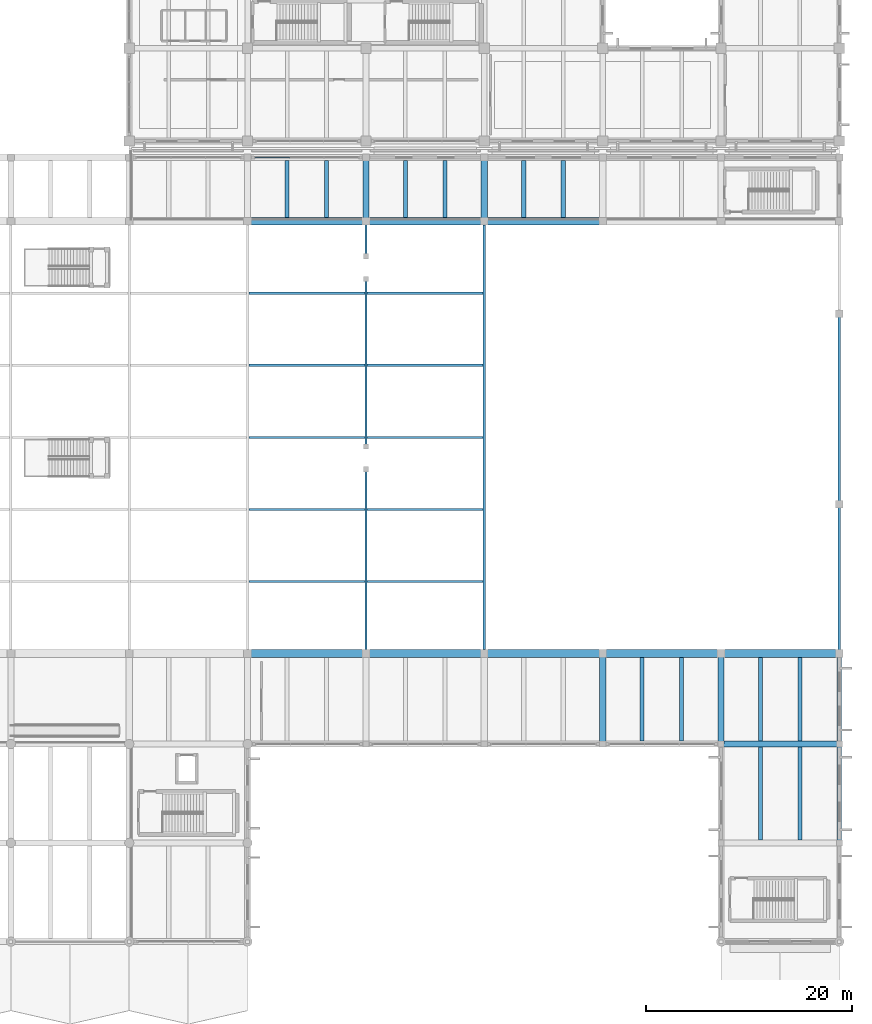
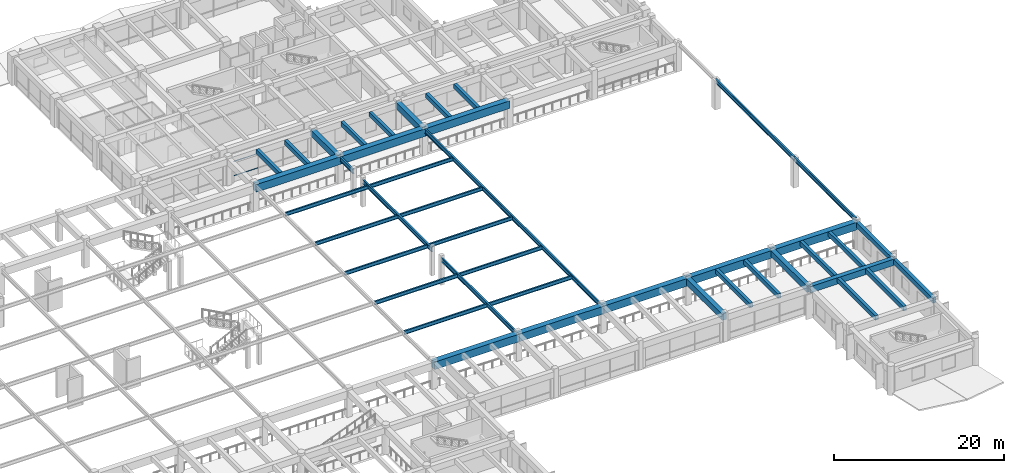
# One storey, part 52 of 98: 43 beams, 2 members, 1 element without a shape of its own.
"""IFC4 building model written with IfcOpenShell, lengths in metres."""

from ifc_helpers import new_model, si_unit, direction, frame, origin, origin_2d, place, context, subcontext, project, spatial, rectangle, hollow_rectangle, i_section, extrude, material, material_profile, profile_set, type_object, element, aggregate, save


model = new_model("IFC4")

# Units and contexts
model_context = context("Model", 3, precision=1e-05, world=origin(), true_north=direction((0.0, 1.0)))
body_context = subcontext(model_context, "Body", "Model", "MODEL_VIEW")
ifc_project = project(units=[si_unit("LENGTHUNIT", "METRE"), si_unit("AREAUNIT", "SQUARE_METRE"), si_unit("VOLUMEUNIT", "CUBIC_METRE"), si_unit("PLANEANGLEUNIT", "RADIAN"), si_unit("MASSUNIT", "GRAM", prefix="KILO")], contexts=[model_context])

# Site, building, storey
site_placement = place(None, origin())
site = spatial("IfcSite", under=ifc_project, at=site_placement, CompositionType="ELEMENT")
building_placement = place(site_placement, origin())
building = spatial("IfcBuilding", under=site, at=building_placement, Name="Ologun Quay Terminus", CompositionType="ELEMENT")
storey_placement = place(building_placement, frame((0.0, 0.0, 4.199951171875)))
storey = spatial("IfcBuildingStorey", under=building, at=storey_placement, Name="L01", CompositionType="ELEMENT", Elevation=4.199951171875)

# Beams
ifc_material_1 = material(Name="Concrete C45/55", Category="concrete")
ifc_material_profile_1 = material_profile(ifc_material_1, rectangle(XDim=0.75, YDim=1.10009765625, at=origin_2d()), Name="RC 750x1100")
ifc_profile_set_1 = profile_set([ifc_material_profile_1], Name="Concrete C45/55")
beam_type_1 = type_object("IfcBeamType", Name="Concourse Primary Girder 750x1100", PredefinedType="BEAM", material=ifc_profile_set_1)
for number, where, z_axis, x_axis, name in (
    (1, (126.5, 36.0, 3.300048828125), (1.0, 0.0, 0.0), (0.0, 1.0, 0.0), "B2 Beam 12/E L01"),
    (2, (138.0, 36.0, 3.300048828125), (1.0, 0.0, 0.0), (0.0, 1.0, 0.0), "B2 Beam 13/E L01"),
    (3, (149.5, 36.0, 3.300048828125), (1.0, 0.0, 0.0), (0.0, 1.0, 0.0), "B2 Beam 14/E L01"),
    (4, (161.0, 36.0, 3.300048828125), (1.0, 0.0, 0.0), (0.0, 1.0, 0.0), "B2 Beam 15/E L01"),
    (5, (172.5, 36.0, 3.300048828125), (1.0, 0.0, 0.0), (0.0, 1.0, 0.0), "B2 Beam 16/E L01"),
    (6, (126.5, 78.0, 3.300048828125), (1.0, 0.0, 0.0), (0.0, 1.0, 0.0), "B2 Beam 12/F L01"),
    (7, (138.0, 78.0, 3.300048828125), (1.0, 0.0, 0.0), (0.0, 1.0, 0.0), "B2 Beam 13/F L01"),
    (8, (149.5, 78.0, 3.300048828125), (1.0, 0.0, 0.0), (0.0, 1.0, 0.0), "B2 Beam 14/F L01"),
):
    element("IfcBeam", number, at=place(storey_placement, frame(where, z_axis=z_axis, x_axis=x_axis)), inside=storey, type_object=beam_type_1, Name=name, PredefinedType="BEAM", context=body_context, shape_type="SweptSolid", body=[
        extrude(rectangle(XDim=0.75, YDim=1.10009765625, at=origin_2d()), origin(), (0.0, 0.0, 1.0), 11.5),
    ])
ifc_material_2 = material(Name="Steel S355", Category="steel")
ifc_material_profile_2 = material_profile(ifc_material_2, i_section(OverallWidth=0.209228515625, OverallDepth=0.533203125, WebThickness=0.010009765625, FlangeThickness=0.015625, at=origin_2d()), Name="UKB 533x210x92")
ifc_profile_set_2 = profile_set([ifc_material_profile_2], Name="Steel S355")
beam_type_2 = type_object("IfcBeamType", Name="Concourse Steel Secondary Beam UKB533", PredefinedType="BEAM", material=ifc_profile_set_2)
for number, where, z_axis, x_axis, name in (
    (9, (126.614013671875, 43.0, 3.58349609375), (1.0, 0.0, 0.0), (0.0, 1.0, 0.0), "SB2 Beam 12/E L01"),
    (10, (126.614013671875, 50.0, 3.58349609375), (1.0, 0.0, 0.0), (0.0, 1.0, 0.0), "SB2 Beam 12/E L01"),
    (11, (126.614013671875, 57.0, 3.58349609375), (1.0, 0.0, 0.0), (0.0, 1.0, 0.0), "SB2 Beam 12/E L01"),
    (12, (126.614013671875, 64.0, 3.58349609375), (1.0, 0.0, 0.0), (0.0, 1.0, 0.0), "SB2 Beam 12/E L01"),
    (13, (126.614013671875, 71.0, 3.58349609375), (1.0, 0.0, 0.0), (0.0, 1.0, 0.0), "SB2 Beam 12/E L01"),
    (14, (138.114013671875, 43.0, 3.58349609375), (1.0, 0.0, 0.0), (0.0, 1.0, 0.0), "SB2 Beam 13/E L01"),
    (15, (138.114013671875, 50.0, 3.58349609375), (1.0, 0.0, 0.0), (0.0, 1.0, 0.0), "SB2 Beam 13/E L01"),
    (16, (138.114013671875, 57.0, 3.58349609375), (1.0, 0.0, 0.0), (0.0, 1.0, 0.0), "SB2 Beam 13/E L01"),
    (17, (138.114013671875, 64.0, 3.58349609375), (1.0, 0.0, 0.0), (0.0, 1.0, 0.0), "SB2 Beam 13/E L01"),
    (18, (138.114013671875, 71.0, 3.58349609375), (1.0, 0.0, 0.0), (0.0, 1.0, 0.0), "SB2 Beam 13/E L01"),
):
    element("IfcBeam", number, at=place(storey_placement, frame(where, z_axis=z_axis, x_axis=x_axis)), inside=storey, type_object=beam_type_2, Name=name, PredefinedType="BEAM", context=body_context, shape_type="SweptSolid", body=[
        extrude(i_section(OverallWidth=0.209228515625, OverallDepth=0.533203125, WebThickness=0.010009765625, FlangeThickness=0.015625, at=origin_2d()), origin(), (0.0, 0.0, 1.0), 11.27197265625),
    ])
ifc_material_3 = material(Name="Steel S355", Category="steel")
ifc_material_profile_3 = material_profile(ifc_material_3, i_section(OverallWidth=0.228271484375, OverallDepth=0.607666015625, WebThickness=0.010986328125, FlangeThickness=0.017333984375, at=origin_2d()), Name="UKB 610x229x113")
ifc_profile_set_3 = profile_set([ifc_material_profile_3], Name="Steel S355")
beam_type_3 = type_object("IfcBeamType", Name="Concourse Steel Spine Girder UKB610", PredefinedType="BEAM", material=ifc_profile_set_3)
beam_1_placement = place(storey_placement, frame((138.0, 36.0, 3.546142578125), z_axis=(0.0, 1.0, 0.0), x_axis=(-1.0, 0.0, 0.0)))
element("IfcBeam", 19, at=beam_1_placement, inside=storey, type_object=beam_type_3, Name="SB1 Beam 13/E L01", PredefinedType="BEAM", context=body_context, shape_type="SweptSolid", body=[
    extrude(i_section(OverallWidth=0.228271484375, OverallDepth=0.607666015625, WebThickness=0.010986328125, FlangeThickness=0.017333984375, at=origin_2d()), origin(), (0.0, 0.0, 1.0), 17.89990234375),
])
beam_2_placement = place(storey_placement, frame((138.0, 56.10009765625, 3.546142578125), z_axis=(0.0, 1.0, 0.0), x_axis=(-1.0, 0.0, 0.0)))
element("IfcBeam", 20, at=beam_2_placement, inside=storey, type_object=beam_type_3, Name="SB1 Beam 13/E L01", PredefinedType="BEAM", context=body_context, shape_type="SweptSolid", body=[
    extrude(i_section(OverallWidth=0.228271484375, OverallDepth=0.607666015625, WebThickness=0.010986328125, FlangeThickness=0.017333984375, at=origin_2d()), origin(), (0.0, 0.0, 1.0), 16.2998046875),
])
beam_3_placement = place(storey_placement, frame((138.0, 74.60009765625, 3.546142578125), z_axis=(0.0, 1.0, 0.0), x_axis=(-1.0, 0.0, 0.0)))
element("IfcBeam", 21, at=beam_3_placement, inside=storey, type_object=beam_type_3, Name="SB1 Beam 13/E L01", PredefinedType="BEAM", context=body_context, shape_type="SweptSolid", body=[
    extrude(i_section(OverallWidth=0.228271484375, OverallDepth=0.607666015625, WebThickness=0.010986328125, FlangeThickness=0.017333984375, at=origin_2d()), origin(), (0.0, 0.0, 1.0), 3.39990234375),
])
beam_4_placement = place(storey_placement, frame((149.5, 36.0, 3.546142578125), z_axis=(0.0, 1.0, 0.0), x_axis=(-1.0, 0.0, 0.0)))
element("IfcBeam", 22, at=beam_4_placement, inside=storey, type_object=beam_type_3, Name="SB1 Beam 14/E L01", PredefinedType="BEAM", context=body_context, shape_type="SweptSolid", body=[
    extrude(i_section(OverallWidth=0.228271484375, OverallDepth=0.607666015625, WebThickness=0.010986328125, FlangeThickness=0.017333984375, at=origin_2d()), origin(), (0.0, 0.0, 1.0), 42.0),
])
beam_5_placement = place(storey_placement, frame((184.0, 36.0, 3.896240234375), z_axis=(0.0, 1.0, 0.0), x_axis=(-1.0, 0.0, 0.0)))
element("IfcBeam", 23, at=beam_5_placement, inside=storey, type_object=beam_type_3, Name="SB1 Beam 17/E L01", PredefinedType="BEAM", context=body_context, shape_type="SweptSolid", body=[
    extrude(i_section(OverallWidth=0.228271484375, OverallDepth=0.607666015625, WebThickness=0.010986328125, FlangeThickness=0.017333984375, at=origin_2d()), origin(), (0.0, 0.0, 1.0), 14.5),
])
beam_6_placement = place(storey_placement, frame((184.0, 50.5, 3.896240234375), z_axis=(0.0, 1.0, 0.0), x_axis=(-1.0, 0.0, 0.0)))
element("IfcBeam", 24, at=beam_6_placement, inside=storey, type_object=beam_type_3, Name="SB1 Beam 17/E L01", PredefinedType="BEAM", context=body_context, shape_type="SweptSolid", body=[
    extrude(i_section(OverallWidth=0.228271484375, OverallDepth=0.607666015625, WebThickness=0.010986328125, FlangeThickness=0.017333984375, at=origin_2d()), origin(), (0.0, 0.0, 1.0), 18.5),
])

# Curtain wall, members
ifc_material_4 = material(Name="Aluminium 6063-T6", Category="aluminium")
curtain_wall_type = type_object("IfcCurtainWallType", Name="Forecourt Mezzanine Curtain Wall 10700x3850", PredefinedType="USERDEFINED", material=ifc_material_4)
curtain_wall_placement = place(storey_placement, origin())
curtain_wall = element("IfcCurtainWall", 25, at=curtain_wall_placement, inside=storey, type_object=curtain_wall_type, Name="CW-04 Curtain Wall CW-L01-091", ObjectType="UNITISED CURTAIN WALL", PredefinedType="USERDEFINED")
ifc_material_5 = material(Name="Aluminium 6063-T6", Category="aluminium")
ifc_material_profile_4 = material_profile(ifc_material_5, hollow_rectangle(XDim=0.054931640625, YDim=0.110107421875, WallThickness=0.00390625, at=origin_2d()), Name="ALU 110x55x4")
ifc_profile_set_4 = profile_set([ifc_material_profile_4], Name="Aluminium 6063-T6")
member_type = type_object("IfcMemberType", Name="Courtyard Screen Transom 110x55", PredefinedType="USERDEFINED", material=ifc_profile_set_4)
member_1_placement = place(storey_placement, frame((127.219970703125, 84.199951171875, 0.900146484375), z_axis=(1.0, 0.0, 0.0), x_axis=(0.0, 1.0, 0.0)))
member_1 = element("IfcMember", 26, at=member_1_placement, type_object=member_type, Name="CW-L01-091 Transom B1-1", ObjectType="TRANSOM", PredefinedType="USERDEFINED", context=body_context, shape_type="SweptSolid", body=[
    extrude(hollow_rectangle(XDim=0.054931640625, YDim=0.110107421875, WallThickness=0.00390625, at=origin_2d()), origin(), (0.0, 0.0, 1.0), 3.353271484375),
])
member_2_placement = place(storey_placement, frame((127.219970703125, 84.199951171875, 2.949951171875), z_axis=(1.0, 0.0, 0.0), x_axis=(0.0, 1.0, 0.0)))
member_2 = element("IfcMember", 27, at=member_2_placement, type_object=member_type, Name="CW-L01-091 Transom B1-2", ObjectType="TRANSOM", PredefinedType="USERDEFINED", context=body_context, shape_type="SweptSolid", body=[
    extrude(hollow_rectangle(XDim=0.054931640625, YDim=0.110107421875, WallThickness=0.00390625, at=origin_2d()), origin(), (0.0, 0.0, 1.0), 3.353271484375),
])
aggregate(curtain_wall, [member_1, member_2])

# Beams
ifc_material_6 = material(Name="Concrete C40/50", Category="concrete")
ifc_material_profile_5 = material_profile(ifc_material_6, rectangle(XDim=0.449951171875, YDim=0.699951171875, at=origin_2d()), Name="RC 450x700")
ifc_profile_set_5 = profile_set([ifc_material_profile_5], Name="Concrete C40/50")
beam_type_4 = type_object("IfcBeamType", Name="Perimeter Spandrel Beam 450x700", PredefinedType="SPANDREL", material=ifc_profile_set_5)
beam_7_placement = place(storey_placement, frame((184.0, 17.60009765625, 3.5), z_axis=(0.0, 1.0, 0.0), x_axis=(-1.0, 0.0, 0.0)))
element("IfcBeam", 28, at=beam_7_placement, inside=storey, type_object=beam_type_4, Name="SP1 Beam 17/C L01", PredefinedType="SPANDREL", context=body_context, shape_type="SweptSolid", body=[
    extrude(rectangle(XDim=0.449951171875, YDim=0.699951171875, at=origin_2d()), origin(), (0.0, 0.0, 1.0), 9.599853515625),
])
beam_8_placement = place(storey_placement, frame((184.0, 27.199951171875, 3.5), z_axis=(0.0, 1.0, 0.0), x_axis=(-1.0, 0.0, 0.0)))
element("IfcBeam", 29, at=beam_8_placement, inside=storey, type_object=beam_type_4, Name="SP1 Beam 17/D L01", PredefinedType="SPANDREL", context=body_context, shape_type="SweptSolid", body=[
    extrude(rectangle(XDim=0.449951171875, YDim=0.699951171875, at=origin_2d()), origin(), (0.0, 0.0, 1.0), 8.800048828125),
])
ifc_material_7 = material(Name="Concrete C40/50", Category="concrete")
ifc_material_profile_6 = material_profile(ifc_material_7, rectangle(XDim=0.60009765625, YDim=0.89990234375, at=origin_2d()), Name="RC 600x900")
ifc_profile_set_6 = profile_set([ifc_material_profile_6], Name="Concrete C40/50")
beam_type_5 = type_object("IfcBeamType", Name="Station Frame Girder 600x900", PredefinedType="BEAM", material=ifc_profile_set_6)
beam_9_placement = place(storey_placement, frame((172.5, 27.199951171875, 3.400146484375), z_axis=(1.0, 0.0, 0.0), x_axis=(0.0, 1.0, 0.0)))
element("IfcBeam", 30, at=beam_9_placement, inside=storey, type_object=beam_type_5, Name="B3 Beam 16/D L01", PredefinedType="BEAM", context=body_context, shape_type="SweptSolid", body=[
    extrude(rectangle(XDim=0.60009765625, YDim=0.89990234375, at=origin_2d()), origin(), (0.0, 0.0, 1.0), 11.5),
])
for number, where, z_axis, x_axis, name in (
    (31, (138.0, 78.0, 3.400146484375), (0.0, 1.0, 0.0), (-1.0, 0.0, 0.0), "B3 Beam 13/F L01"),
    (32, (149.5, 78.0, 3.400146484375), (0.0, 1.0, 0.0), (-1.0, 0.0, 0.0), "B3 Beam 14/F L01"),
):
    element("IfcBeam", number, at=place(storey_placement, frame(where, z_axis=z_axis, x_axis=x_axis)), inside=storey, type_object=beam_type_5, Name=name, PredefinedType="BEAM", context=body_context, shape_type="SweptSolid", body=[
        extrude(rectangle(XDim=0.60009765625, YDim=0.89990234375, at=origin_2d()), origin(), (0.0, 0.0, 1.0), 6.199951171875),
    ])
for number, where, z_axis, x_axis, name in (
    (33, (161.0, 27.199951171875, 3.400146484375), (0.0, 1.0, 0.0), (-1.0, 0.0, 0.0), "B3 Beam 15/D L01"),
    (34, (172.5, 27.199951171875, 3.400146484375), (0.0, 1.0, 0.0), (-1.0, 0.0, 0.0), "B3 Beam 16/D L01"),
):
    element("IfcBeam", number, at=place(storey_placement, frame(where, z_axis=z_axis, x_axis=x_axis)), inside=storey, type_object=beam_type_5, Name=name, PredefinedType="BEAM", context=body_context, shape_type="SweptSolid", body=[
        extrude(rectangle(XDim=0.60009765625, YDim=0.89990234375, at=origin_2d()), origin(), (0.0, 0.0, 1.0), 8.800048828125),
    ])
ifc_material_8 = material(Name="Concrete C40/50", Category="concrete")
ifc_material_profile_7 = material_profile(ifc_material_8, rectangle(XDim=0.39990234375, YDim=0.64990234375, at=origin_2d()), Name="RC 400x650")
ifc_profile_set_7 = profile_set([ifc_material_profile_7], Name="Concrete C40/50")
beam_type_6 = type_object("IfcBeamType", Name="Station Secondary Joist 400x650", PredefinedType="JOIST", material=ifc_profile_set_7)
for number, where, z_axis, x_axis, name in (
    (35, (130.333251953125, 78.375, 3.525146484375), (0.0, 1.0, 0.0), (-1.0, 0.0, 0.0), "J1 Beam 12/F L01"),
    (36, (134.166748046875, 78.375, 3.525146484375), (0.0, 1.0, 0.0), (-1.0, 0.0, 0.0), "J1 Beam 12/F L01"),
    (37, (141.833251953125, 78.375, 3.525146484375), (0.0, 1.0, 0.0), (-1.0, 0.0, 0.0), "J1 Beam 13/F L01"),
    (38, (145.666748046875, 78.375, 3.525146484375), (0.0, 1.0, 0.0), (-1.0, 0.0, 0.0), "J1 Beam 13/F L01"),
    (39, (153.333251953125, 78.375, 3.525146484375), (0.0, 1.0, 0.0), (-1.0, 0.0, 0.0), "J1 Beam 14/F L01"),
    (40, (157.166748046875, 78.375, 3.525146484375), (0.0, 1.0, 0.0), (-1.0, 0.0, 0.0), "J1 Beam 14/F L01"),
):
    element("IfcBeam", number, at=place(storey_placement, frame(where, z_axis=z_axis, x_axis=x_axis)), inside=storey, type_object=beam_type_6, Name=name, PredefinedType="JOIST", context=body_context, shape_type="SweptSolid", body=[
        extrude(rectangle(XDim=0.39990234375, YDim=0.64990234375, at=origin_2d()), origin(), (0.0, 0.0, 1.0), 5.52490234375),
    ])
for number, where, z_axis, x_axis, name in (
    (41, (164.833251953125, 27.5, 3.525146484375), (0.0, 1.0, 0.0), (-1.0, 0.0, 0.0), "J1 Beam 15/D L01"),
    (42, (168.666748046875, 27.5, 3.525146484375), (0.0, 1.0, 0.0), (-1.0, 0.0, 0.0), "J1 Beam 15/D L01"),
):
    element("IfcBeam", number, at=place(storey_placement, frame(where, z_axis=z_axis, x_axis=x_axis)), inside=storey, type_object=beam_type_6, Name=name, PredefinedType="JOIST", context=body_context, shape_type="SweptSolid", body=[
        extrude(rectangle(XDim=0.39990234375, YDim=0.64990234375, at=origin_2d()), origin(), (0.0, 0.0, 1.0), 8.125),
    ])
for number, where, z_axis, x_axis, name in (
    (43, (176.333251953125, 17.89990234375, 3.525146484375), (0.0, 1.0, 0.0), (-1.0, 0.0, 0.0), "J1 Beam 16/C L01"),
    (44, (180.166748046875, 17.89990234375, 3.525146484375), (0.0, 1.0, 0.0), (-1.0, 0.0, 0.0), "J1 Beam 16/C L01"),
):
    element("IfcBeam", number, at=place(storey_placement, frame(where, z_axis=z_axis, x_axis=x_axis)), inside=storey, type_object=beam_type_6, Name=name, PredefinedType="JOIST", context=body_context, shape_type="SweptSolid", body=[
        extrude(rectangle(XDim=0.39990234375, YDim=0.64990234375, at=origin_2d()), origin(), (0.0, 0.0, 1.0), 9.0),
    ])
for number, where, z_axis, x_axis, name in (
    (45, (176.333251953125, 27.5, 3.525146484375), (0.0, 1.0, 0.0), (-1.0, 0.0, 0.0), "J1 Beam 16/D L01"),
    (46, (180.166748046875, 27.5, 3.525146484375), (0.0, 1.0, 0.0), (-1.0, 0.0, 0.0), "J1 Beam 16/D L01"),
):
    element("IfcBeam", number, at=place(storey_placement, frame(where, z_axis=z_axis, x_axis=x_axis)), inside=storey, type_object=beam_type_6, Name=name, PredefinedType="JOIST", context=body_context, shape_type="SweptSolid", body=[
        extrude(rectangle(XDim=0.39990234375, YDim=0.64990234375, at=origin_2d()), origin(), (0.0, 0.0, 1.0), 8.125),
    ])

save(model, "model.ifc")
